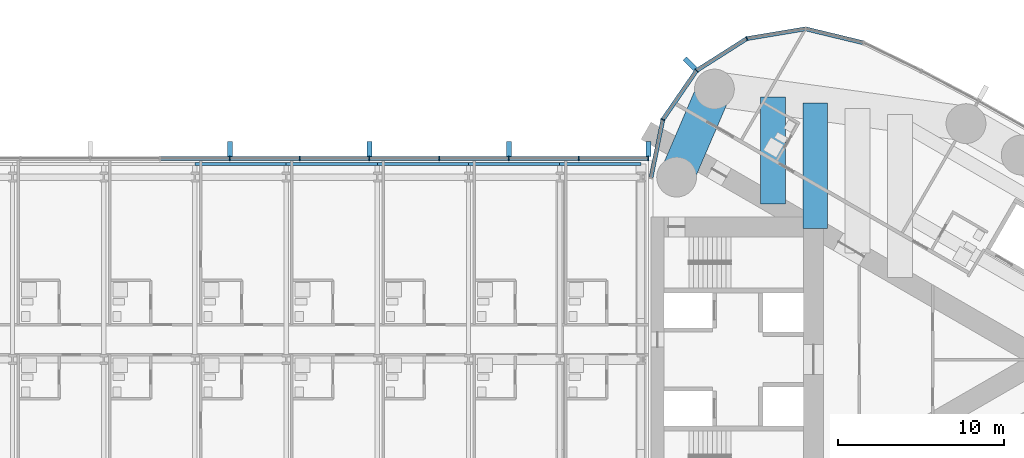
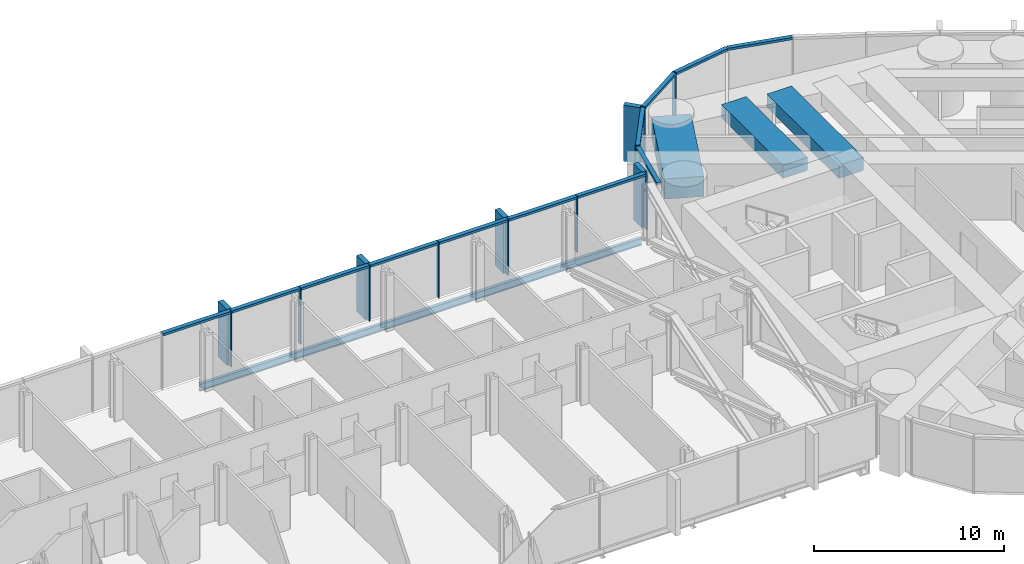
# One storey, part 10 of 23: 27 members, 8 beams, 2 elements without a shape of their own.
"""IFC4 building model written with IfcOpenShell, lengths in metres."""

from ifc_helpers import new_model, si_unit, direction, frame, origin, origin_2d, place, context, subcontext, project, spatial, rectangle, i_section, extrude, material, material_profile, profile_set, type_object, element, aggregate, save


model = new_model("IFC4")

# Units and contexts
model_context = context("Model", 3, precision=1e-05, world=origin(), true_north=direction((0.0, 1.0)))
body_context = subcontext(model_context, "Body", "Model", "MODEL_VIEW")
ifc_project = project(units=[si_unit("LENGTHUNIT", "METRE"), si_unit("AREAUNIT", "SQUARE_METRE"), si_unit("VOLUMEUNIT", "CUBIC_METRE"), si_unit("PLANEANGLEUNIT", "RADIAN"), si_unit("MASSUNIT", "GRAM", prefix="KILO")], contexts=[model_context])

# Site, building, storey
site_placement = place(None, origin())
site = spatial("IfcSite", under=ifc_project, at=site_placement, CompositionType="ELEMENT")
building_placement = place(site_placement, origin())
building = spatial("IfcBuilding", under=site, at=building_placement, Name="Lancet Gate Hotel", CompositionType="ELEMENT")
storey_placement = place(building_placement, frame((0.0, 0.0, 222.5)))
storey = spatial("IfcBuildingStorey", under=building, at=storey_placement, Name="L59", CompositionType="ELEMENT", Elevation=222.5)

# Curtain wall, members
ifc_material_1 = material(Name="Aluminium curtain wall", Category="aluminium")
curtain_wall_type_1 = type_object("IfcCurtainWallType", Name="Tower unitised curtain wall", PredefinedType="USERDEFINED", material=ifc_material_1)
curtain_wall_1_placement = place(storey_placement, origin())
curtain_wall_1 = element("IfcCurtainWall", 1, at=curtain_wall_1_placement, inside=storey, type_object=curtain_wall_type_1, Name="T2 L59 curtain wall 1", ObjectType="UNITISED CURTAIN WALL", PredefinedType="USERDEFINED")
ifc_material_2 = material(Name="Aluminium mullion", Category="aluminium")
ifc_material_profile_1 = material_profile(ifc_material_2, rectangle(XDim=0.06494140625, YDim=0.25, at=origin_2d()), Name="MULLION 65x250")
ifc_profile_set_1 = profile_set([ifc_material_profile_1], Name="Aluminium mullion")
member_type_1 = type_object("IfcMemberType", Name="Aluminium mullion 65x250", PredefinedType="MULLION", material=ifc_profile_set_1)
member_1_placement = place(storey_placement, frame((33.283203125, 19.353515625, 0.0), z_axis=(0.0, 0.0, 1.0), x_axis=(-0.93394321776, -0.357421412343, 0.0)))
member_1 = element("IfcMember", 2, at=member_1_placement, type_object=member_type_1, Name="T2 L59 curtain wall 1 mullion 24", PredefinedType="MULLION", context=body_context, shape_type="SweptSolid", body=[
    extrude(rectangle(XDim=0.06494140625, YDim=0.25, at=origin_2d()), origin(), (0.0, 0.0, 1.0), 3.60009765625),
])
member_2_placement = place(storey_placement, frame((30.25244140625, 17.42626953125, 0.0), z_axis=(0.0, 0.0, 1.0), x_axis=(-0.719809077627, -0.694172090886, 0.0)))
member_2 = element("IfcMember", 3, at=member_2_placement, type_object=member_type_1, Name="T2 L59 curtain wall 1 mullion 25", PredefinedType="MULLION", context=body_context, shape_type="SweptSolid", body=[
    extrude(rectangle(XDim=0.06494140625, YDim=0.25, at=origin_2d()), origin(), (0.0, 0.0, 1.0), 3.60009765625),
])
member_3_placement = place(storey_placement, frame((28.216552734375, 14.467529296875, 0.0), z_axis=(0.0, 0.0, 1.0), x_axis=(-0.391042139098, -0.920372775265, 0.0)))
member_3 = element("IfcMember", 4, at=member_3_placement, type_object=member_type_1, Name="T2 L59 curtain wall 1 mullion 26", PredefinedType="MULLION", context=body_context, shape_type="SweptSolid", body=[
    extrude(rectangle(XDim=0.06494140625, YDim=0.25, at=origin_2d()), origin(), (0.0, 0.0, 1.0), 3.60009765625),
])

ifc_material_3 = material(Name="Aluminium curtain wall", Category="aluminium")
curtain_wall_type_2 = type_object("IfcCurtainWallType", Name="Bridge block curtain wall", PredefinedType="USERDEFINED", material=ifc_material_3)
curtain_wall_2_placement = place(storey_placement, origin())
curtain_wall_2 = element("IfcCurtainWall", 5, at=curtain_wall_2_placement, inside=storey, type_object=curtain_wall_type_2, Name="Bridge block L59 curtain wall N", ObjectType="UNITISED CURTAIN WALL", PredefinedType="USERDEFINED")
member_4_placement = place(storey_placement, frame((27.35009765625, 12.1201171875, 0.0), z_axis=(0.0, 0.0, 1.0), x_axis=(-1.0, 0.0, 0.0)))
member_4 = element("IfcMember", 6, at=member_4_placement, type_object=member_type_1, Name="Bridge block L59 curtain wall N mullion 1", PredefinedType="MULLION", context=body_context, shape_type="SweptSolid", body=[
    extrude(rectangle(XDim=0.06494140625, YDim=0.25, at=origin_2d()), origin(), (0.0, 0.0, 1.0), 3.60009765625),
])
member_5_placement = place(storey_placement, frame((23.142333984375, 12.1201171875, 0.0), z_axis=(0.0, 0.0, 1.0), x_axis=(-1.0, 0.0, 0.0)))
member_5 = element("IfcMember", 7, at=member_5_placement, type_object=member_type_1, Name="Bridge block L59 curtain wall N mullion 2", PredefinedType="MULLION", context=body_context, shape_type="SweptSolid", body=[
    extrude(rectangle(XDim=0.06494140625, YDim=0.25, at=origin_2d()), origin(), (0.0, 0.0, 1.0), 3.60009765625),
])
member_6_placement = place(storey_placement, frame((18.9345703125, 12.1201171875, 0.0), z_axis=(0.0, 0.0, 1.0), x_axis=(-1.0, 0.0, 0.0)))
member_6 = element("IfcMember", 8, at=member_6_placement, type_object=member_type_1, Name="Bridge block L59 curtain wall N mullion 3", PredefinedType="MULLION", context=body_context, shape_type="SweptSolid", body=[
    extrude(rectangle(XDim=0.06494140625, YDim=0.25, at=origin_2d()), origin(), (0.0, 0.0, 1.0), 3.60009765625),
])
member_7_placement = place(storey_placement, frame((14.726806640625, 12.1201171875, 0.0), z_axis=(0.0, 0.0, 1.0), x_axis=(-1.0, 0.0, 0.0)))
member_7 = element("IfcMember", 9, at=member_7_placement, type_object=member_type_1, Name="Bridge block L59 curtain wall N mullion 4", PredefinedType="MULLION", context=body_context, shape_type="SweptSolid", body=[
    extrude(rectangle(XDim=0.06494140625, YDim=0.25, at=origin_2d()), origin(), (0.0, 0.0, 1.0), 3.60009765625),
])
member_8_placement = place(storey_placement, frame((10.519287109375, 12.1201171875, 0.0), z_axis=(0.0, 0.0, 1.0), x_axis=(-1.0, 0.0, 0.0)))
member_8 = element("IfcMember", 10, at=member_8_placement, type_object=member_type_1, Name="Bridge block L59 curtain wall N mullion 5", PredefinedType="MULLION", context=body_context, shape_type="SweptSolid", body=[
    extrude(rectangle(XDim=0.06494140625, YDim=0.25, at=origin_2d()), origin(), (0.0, 0.0, 1.0), 3.60009765625),
])
member_9_placement = place(storey_placement, frame((6.3115234375, 12.1201171875, 0.0), z_axis=(0.0, 0.0, 1.0), x_axis=(-1.0, 0.0, 0.0)))
member_9 = element("IfcMember", 11, at=member_9_placement, type_object=member_type_1, Name="Bridge block L59 curtain wall N mullion 6", PredefinedType="MULLION", context=body_context, shape_type="SweptSolid", body=[
    extrude(rectangle(XDim=0.06494140625, YDim=0.25, at=origin_2d()), origin(), (0.0, 0.0, 1.0), 3.60009765625),
])
member_10_placement = place(storey_placement, frame((2.103759765625, 12.1201171875, 0.0), z_axis=(0.0, 0.0, 1.0), x_axis=(-1.0, 0.0, 0.0)))
member_10 = element("IfcMember", 12, at=member_10_placement, type_object=member_type_1, Name="Bridge block L59 curtain wall N mullion 7", PredefinedType="MULLION", context=body_context, shape_type="SweptSolid", body=[
    extrude(rectangle(XDim=0.06494140625, YDim=0.25, at=origin_2d()), origin(), (0.0, 0.0, 1.0), 3.60009765625),
])

# Member
ifc_material_4 = material(Name="Aluminium transom", Category="aluminium")
ifc_material_profile_2 = material_profile(ifc_material_4, rectangle(XDim=0.25, YDim=0.14990234375, at=origin_2d()), Name="TRANSOM 250x150")
ifc_profile_set_2 = profile_set([ifc_material_profile_2], Name="Aluminium transom")
member_type_2 = type_object("IfcMemberType", Name="Aluminium transom 250x150", PredefinedType="USERDEFINED", material=ifc_profile_set_2)
member_11_placement = place(storey_placement, frame((40.28564453125, 19.10595703125, 3.52490234375), z_axis=(-0.972002653858, 0.234969872307, 0.0), x_axis=(-0.234969872307, -0.972002653858, 0.0)))
member_11 = element("IfcMember", 13, at=member_11_placement, type_object=member_type_2, Name="T2 L59 curtain wall 1 transom 22", ObjectType="TRANSOM", PredefinedType="USERDEFINED", context=body_context, shape_type="SweptSolid", body=[
    extrude(rectangle(XDim=0.25, YDim=0.14990234375, at=origin_2d()), origin(), (0.0, 0.0, 1.0), 3.5263671875),
])

member_12_placement = place(storey_placement, frame((36.794189453125, 19.936767578125, 3.52490234375), z_axis=(-0.986483584545, -0.163860115412, 0.0), x_axis=(0.163860115412, -0.986483584545, 0.0)))
member_12 = element("IfcMember", 14, at=member_12_placement, type_object=member_type_2, Name="T2 L59 curtain wall 1 transom 23", ObjectType="TRANSOM", PredefinedType="USERDEFINED", context=body_context, shape_type="SweptSolid", body=[
    extrude(rectangle(XDim=0.25, YDim=0.14990234375, at=origin_2d()), origin(), (0.0, 0.0, 1.0), 3.526611328125),
])

member_13_placement = place(storey_placement, frame((33.255859375, 19.336181640625, 3.52490234375), z_axis=(-0.84385811281, -0.536566384938, 0.0), x_axis=(0.536566384938, -0.84385811281, 0.0)))
member_13 = element("IfcMember", 15, at=member_13_placement, type_object=member_type_2, Name="T2 L59 curtain wall 1 transom 24", ObjectType="TRANSOM", PredefinedType="USERDEFINED", context=body_context, shape_type="SweptSolid", body=[
    extrude(rectangle(XDim=0.25, YDim=0.14990234375, at=origin_2d()), origin(), (0.0, 0.0, 1.0), 3.52685546875),
])

member_14_placement = place(storey_placement, frame((30.234130859375, 17.399658203125, 3.52490234375), z_axis=(-0.566813768052, -0.82384595183, 0.0), x_axis=(0.82384595183, -0.566813768052, 0.0)))
member_14 = element("IfcMember", 16, at=member_14_placement, type_object=member_type_2, Name="T2 L59 curtain wall 1 transom 25", ObjectType="TRANSOM", PredefinedType="USERDEFINED", context=body_context, shape_type="SweptSolid", body=[
    extrude(rectangle(XDim=0.25, YDim=0.14990234375, at=origin_2d()), origin(), (0.0, 0.0, 1.0), 3.52685546875),
])

member_15_placement = place(storey_placement, frame((28.210205078125, 14.435546875, 3.52490234375), z_axis=(-0.19952323725, -0.979893095086, 0.0), x_axis=(0.979893095086, -0.19952323725, 0.0)))
member_15 = element("IfcMember", 17, at=member_15_placement, type_object=member_type_2, Name="T2 L59 curtain wall 1 transom 26", ObjectType="TRANSOM", PredefinedType="USERDEFINED", context=body_context, shape_type="SweptSolid", body=[
    extrude(rectangle(XDim=0.25, YDim=0.14990234375, at=origin_2d()), origin(), (0.0, 0.0, 1.0), 3.5263671875),
])

member_16_placement = place(storey_placement, frame((27.3173828125, 12.1201171875, 3.52490234375), z_axis=(-1.0, 0.0, 0.0), x_axis=(0.0, -1.0, 0.0)))
member_16 = element("IfcMember", 18, at=member_16_placement, type_object=member_type_2, Name="Bridge block L59 curtain wall N transom 1", ObjectType="TRANSOM", PredefinedType="USERDEFINED", context=body_context, shape_type="SweptSolid", body=[
    extrude(rectangle(XDim=0.25, YDim=0.14990234375, at=origin_2d()), origin(), (0.0, 0.0, 1.0), 4.142578125),
])

member_17_placement = place(storey_placement, frame((23.10986328125, 12.1201171875, 3.52490234375), z_axis=(-1.0, 0.0, 0.0), x_axis=(0.0, -1.0, 0.0)))
member_17 = element("IfcMember", 19, at=member_17_placement, type_object=member_type_2, Name="Bridge block L59 curtain wall N transom 2", ObjectType="TRANSOM", PredefinedType="USERDEFINED", context=body_context, shape_type="SweptSolid", body=[
    extrude(rectangle(XDim=0.25, YDim=0.14990234375, at=origin_2d()), origin(), (0.0, 0.0, 1.0), 4.142822265625),
])

member_18_placement = place(storey_placement, frame((18.902099609375, 12.1201171875, 3.52490234375), z_axis=(-1.0, 0.0, 0.0), x_axis=(0.0, -1.0, 0.0)))
member_18 = element("IfcMember", 20, at=member_18_placement, type_object=member_type_2, Name="Bridge block L59 curtain wall N transom 3", ObjectType="TRANSOM", PredefinedType="USERDEFINED", context=body_context, shape_type="SweptSolid", body=[
    extrude(rectangle(XDim=0.25, YDim=0.14990234375, at=origin_2d()), origin(), (0.0, 0.0, 1.0), 4.142578125),
])

member_19_placement = place(storey_placement, frame((14.6943359375, 12.1201171875, 3.52490234375), z_axis=(-1.0, 0.0, 0.0), x_axis=(0.0, -1.0, 0.0)))
member_19 = element("IfcMember", 21, at=member_19_placement, type_object=member_type_2, Name="Bridge block L59 curtain wall N transom 4", ObjectType="TRANSOM", PredefinedType="USERDEFINED", context=body_context, shape_type="SweptSolid", body=[
    extrude(rectangle(XDim=0.25, YDim=0.14990234375, at=origin_2d()), origin(), (0.0, 0.0, 1.0), 4.142578125),
])

member_20_placement = place(storey_placement, frame((10.48681640625, 12.1201171875, 3.52490234375), z_axis=(-1.0, 0.0, 0.0), x_axis=(0.0, -1.0, 0.0)))
member_20 = element("IfcMember", 22, at=member_20_placement, type_object=member_type_2, Name="Bridge block L59 curtain wall N transom 5", ObjectType="TRANSOM", PredefinedType="USERDEFINED", context=body_context, shape_type="SweptSolid", body=[
    extrude(rectangle(XDim=0.25, YDim=0.14990234375, at=origin_2d()), origin(), (0.0, 0.0, 1.0), 4.142822265625),
])

member_21_placement = place(storey_placement, frame((6.279052734375, 12.1201171875, 3.52490234375), z_axis=(-1.0, 0.0, 0.0), x_axis=(0.0, -1.0, 0.0)))
member_21 = element("IfcMember", 23, at=member_21_placement, type_object=member_type_2, Name="Bridge block L59 curtain wall N transom 6", ObjectType="TRANSOM", PredefinedType="USERDEFINED", context=body_context, shape_type="SweptSolid", body=[
    extrude(rectangle(XDim=0.25, YDim=0.14990234375, at=origin_2d()), origin(), (0.0, 0.0, 1.0), 4.142822265625),
])

member_22_placement = place(storey_placement, frame((2.0712890625, 12.1201171875, 3.52490234375), z_axis=(-1.0, 0.0, 0.0), x_axis=(0.0, -1.0, 0.0)))
member_22 = element("IfcMember", 24, at=member_22_placement, type_object=member_type_2, Name="Bridge block L59 curtain wall N transom 7", ObjectType="TRANSOM", PredefinedType="USERDEFINED", context=body_context, shape_type="SweptSolid", body=[
    extrude(rectangle(XDim=0.25, YDim=0.14990234375, at=origin_2d()), origin(), (0.0, 0.0, 1.0), 4.142578125),
])

# Beams
ifc_material_5 = material(Name="Steel S355", Category="steel")
ifc_material_profile_3 = material_profile(ifc_material_5, i_section(OverallWidth=0.19140625, OverallDepth=0.4599609375, WebThickness=0.010009765625, FlangeThickness=0.01611328125, FilletRadius=0.01025390625, at=origin_2d()), Name="UKB 457x191x82")
ifc_profile_set_3 = profile_set([ifc_material_profile_3], Name="Steel S355")
beam_type_1 = type_object("IfcBeamType", Name="Block edge beam UKB 457x191x82", PredefinedType="SPANDREL", material=ifc_profile_set_3)
for number, where, z_axis, x_axis, name in (
    (25, (0.0, 11.800048828125, -0.429931640625), (1.0, 0.0, 0.0), (0.0, 1.0, 0.0), "Block edge beam N 5-6 L59"),
    (26, (5.5, 11.800048828125, -0.429931640625), (1.0, 0.0, 0.0), (0.0, 1.0, 0.0), "Block edge beam N 6-7 L59"),
    (27, (11.0, 11.800048828125, -0.429931640625), (1.0, 0.0, 0.0), (0.0, 1.0, 0.0), "Block edge beam N 7-8 L59"),
    (28, (16.5, 11.800048828125, -0.429931640625), (1.0, 0.0, 0.0), (0.0, 1.0, 0.0), "Block edge beam N 8-9 L59"),
):
    element("IfcBeam", number, at=place(storey_placement, frame(where, z_axis=z_axis, x_axis=x_axis)), inside=storey, type_object=beam_type_1, Name=name, PredefinedType="SPANDREL", context=body_context, shape_type="SweptSolid", body=[
        extrude(i_section(OverallWidth=0.19140625, OverallDepth=0.4599609375, WebThickness=0.010009765625, FlangeThickness=0.01611328125, FilletRadius=0.01025390625, at=origin_2d()), origin(), (0.0, 0.0, 1.0), 5.5),
    ])
beam_1_placement = place(storey_placement, frame((22.0, 11.800048828125, -0.429931640625), z_axis=(1.0, 0.0, 0.0), x_axis=(0.0, 1.0, 0.0)))
element("IfcBeam", 29, at=beam_1_placement, inside=storey, type_object=beam_type_1, Name="Block edge beam N 9-10 L59", PredefinedType="SPANDREL", context=body_context, shape_type="SweptSolid", body=[
    extrude(i_section(OverallWidth=0.19140625, OverallDepth=0.4599609375, WebThickness=0.010009765625, FlangeThickness=0.01611328125, FilletRadius=0.01025390625, at=origin_2d()), origin(), (0.0, 0.0, 1.0), 4.89990234375),
])
ifc_material_6 = material(Name="Concrete C50/60", Category="concrete")
ifc_material_profile_4 = material_profile(ifc_material_6, rectangle(XDim=2.10009765625, YDim=1.300048828125, at=origin_2d()), Name="RC 2100x1300")
ifc_profile_set_4 = profile_set([ifc_material_profile_4], Name="Concrete C50/60")
beam_type_2 = type_object("IfcBeamType", Name="Edge beam RC 2100x1300", PredefinedType="SPANDREL", material=ifc_profile_set_4)
beam_2_placement = place(storey_placement, frame((29.050048828125, 11.0, 2.699951171875), z_axis=(0.394250694824, 0.91900293233, 0.0), x_axis=(-0.91900293233, 0.394250694824, 0.0)))
element("IfcBeam", 30, at=beam_2_placement, inside=storey, type_object=beam_type_2, Name="T2 edge beam EB1 L59", PredefinedType="SPANDREL", context=body_context, shape_type="SweptSolid", body=[
    extrude(rectangle(XDim=2.10009765625, YDim=1.300048828125, at=origin_2d()), origin(), (0.0, 0.0, 1.0), 5.77880859375),
])

# Member
ifc_material_7 = material(Name="Precast concrete C50/60", Category="concrete")
ifc_material_profile_5 = material_profile(ifc_material_7, rectangle(XDim=0.300048828125, YDim=0.89990234375, at=origin_2d()), Name="FIN 300x900")
ifc_profile_set_5 = profile_set([ifc_material_profile_5], Name="Precast concrete C50/60")
member_type_3 = type_object("IfcMemberType", Name="Exposed concrete fin 300x900", PredefinedType="USERDEFINED", material=ifc_profile_set_5)
member_23_placement = place(storey_placement, frame((29.853271484375, 17.84033203125, 0.0), z_axis=(0.0, 0.0, 1.0), x_axis=(-0.719809077627, -0.694172090886, 0.0)))
member_23 = element("IfcMember", 31, at=member_23_placement, type_object=member_type_3, Name="T2 L59 curtain wall 1 fin 25", ObjectType="FIN", PredefinedType="USERDEFINED", context=body_context, shape_type="SweptSolid", body=[
    extrude(rectangle(XDim=0.300048828125, YDim=0.89990234375, at=origin_2d()), origin(), (0.0, 0.0, 1.0), 3.60009765625),
])

aggregate(curtain_wall_1, [member_1, member_2, member_23, member_3, member_11, member_12, member_13, member_14, member_15])

member_24_placement = place(storey_placement, frame((27.35009765625, 12.695068359375, 0.0), z_axis=(0.0, 0.0, 1.0), x_axis=(-1.0, 0.0, 0.0)))
member_24 = element("IfcMember", 32, at=member_24_placement, type_object=member_type_3, Name="Bridge block L59 curtain wall N fin 1", ObjectType="FIN", PredefinedType="USERDEFINED", context=body_context, shape_type="SweptSolid", body=[
    extrude(rectangle(XDim=0.300048828125, YDim=0.89990234375, at=origin_2d()), origin(), (0.0, 0.0, 1.0), 3.60009765625),
])

member_25_placement = place(storey_placement, frame((18.9345703125, 12.695068359375, 0.0), z_axis=(0.0, 0.0, 1.0), x_axis=(-1.0, 0.0, 0.0)))
member_25 = element("IfcMember", 33, at=member_25_placement, type_object=member_type_3, Name="Bridge block L59 curtain wall N fin 3", ObjectType="FIN", PredefinedType="USERDEFINED", context=body_context, shape_type="SweptSolid", body=[
    extrude(rectangle(XDim=0.300048828125, YDim=0.89990234375, at=origin_2d()), origin(), (0.0, 0.0, 1.0), 3.60009765625),
])

member_26_placement = place(storey_placement, frame((10.519287109375, 12.695068359375, 0.0), z_axis=(0.0, 0.0, 1.0), x_axis=(-1.0, 0.0, 0.0)))
member_26 = element("IfcMember", 34, at=member_26_placement, type_object=member_type_3, Name="Bridge block L59 curtain wall N fin 5", ObjectType="FIN", PredefinedType="USERDEFINED", context=body_context, shape_type="SweptSolid", body=[
    extrude(rectangle(XDim=0.300048828125, YDim=0.89990234375, at=origin_2d()), origin(), (0.0, 0.0, 1.0), 3.60009765625),
])

member_27_placement = place(storey_placement, frame((2.103759765625, 12.695068359375, 0.0), z_axis=(0.0, 0.0, 1.0), x_axis=(-1.0, 0.0, 0.0)))
member_27 = element("IfcMember", 35, at=member_27_placement, type_object=member_type_3, Name="Bridge block L59 curtain wall N fin 7", ObjectType="FIN", PredefinedType="USERDEFINED", context=body_context, shape_type="SweptSolid", body=[
    extrude(rectangle(XDim=0.300048828125, YDim=0.89990234375, at=origin_2d()), origin(), (0.0, 0.0, 1.0), 3.60009765625),
])

aggregate(curtain_wall_2, [member_4, member_24, member_5, member_6, member_25, member_7, member_8, member_26, member_9, member_10, member_27, member_16, member_17, member_18, member_19, member_20, member_21, member_22])

# Beams
ifc_material_8 = material(Name="Concrete C50/60", Category="concrete")
ifc_material_profile_6 = material_profile(ifc_material_8, rectangle(XDim=1.5, YDim=0.85009765625, at=origin_2d()), Name="RC 1500x850")
ifc_profile_set_6 = profile_set([ifc_material_profile_6], Name="Concrete C50/60")
beam_type_3 = type_object("IfcBeamType", Name="Floor beam RC 1500x850", PredefinedType="BEAM", material=ifc_profile_set_6)
beam_3_placement = place(storey_placement, frame((34.859619140625, 9.377685546875, 2.925048828125), z_axis=(0.0, 1.0, 0.0), x_axis=(-1.0, 0.0, 0.0)))
element("IfcBeam", 36, at=beam_3_placement, inside=storey, type_object=beam_type_3, Name="T2 floor beam F02N L59", PredefinedType="BEAM", context=body_context, shape_type="SweptSolid", body=[
    extrude(rectangle(XDim=1.5, YDim=0.85009765625, at=origin_2d()), origin(), (0.0, 0.0, 1.0), 6.44775390625),
])
beam_4_placement = place(storey_placement, frame((37.412841796875, 7.903564453125, 2.925048828125), z_axis=(0.0, 1.0, 0.0), x_axis=(-1.0, 0.0, 0.0)))
element("IfcBeam", 37, at=beam_4_placement, inside=storey, type_object=beam_type_3, Name="T2 floor beam F04N L59", PredefinedType="BEAM", context=body_context, shape_type="SweptSolid", body=[
    extrude(rectangle(XDim=1.5, YDim=0.85009765625, at=origin_2d()), origin(), (0.0, 0.0, 1.0), 7.57080078125),
])

save(model, "model.ifc")
